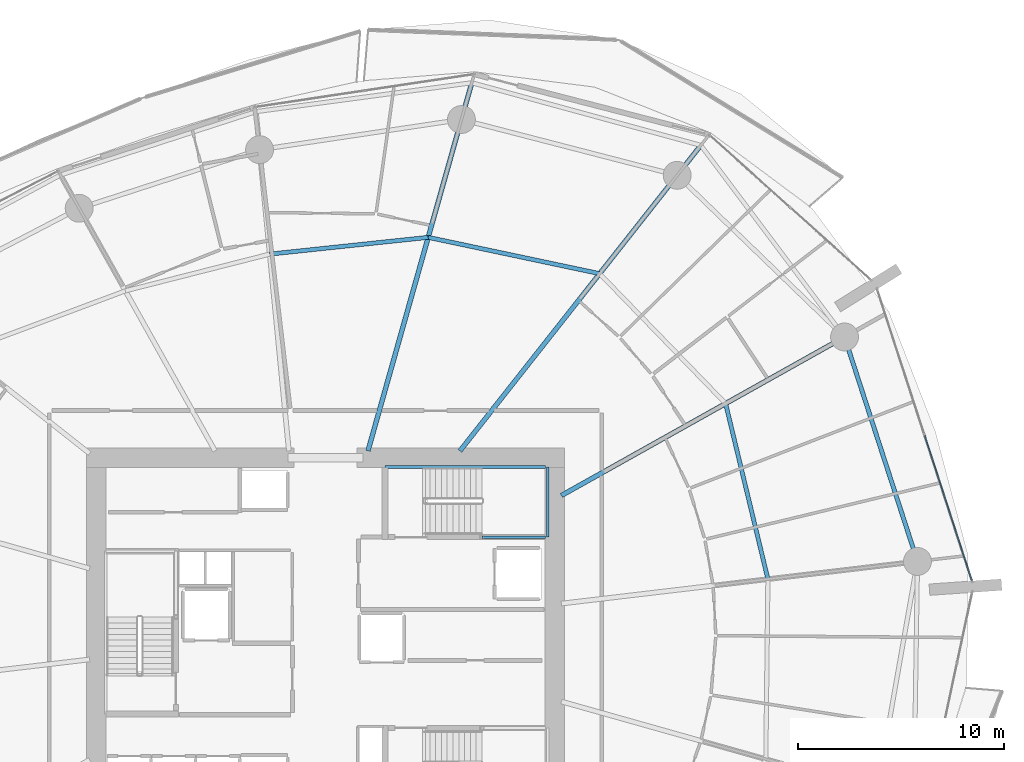
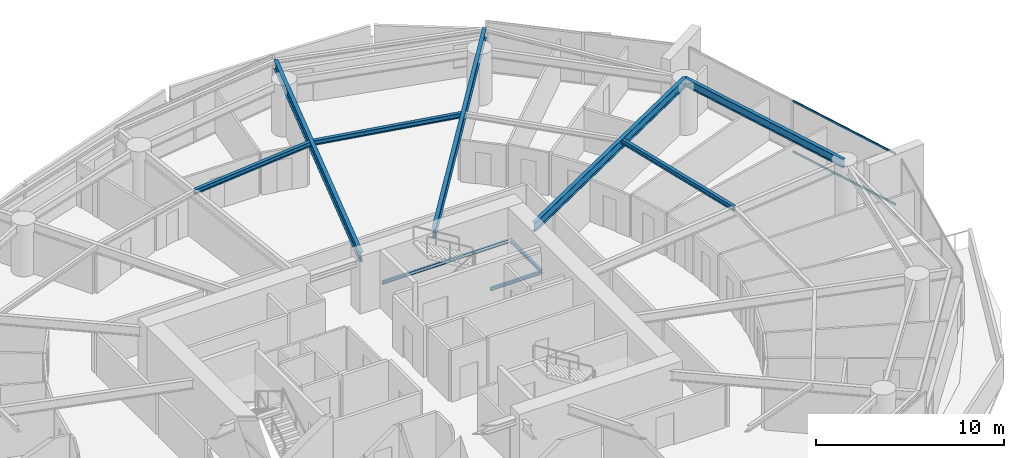
# One storey, part 14 of 31: 10 beams, 2 members, 1 element without a shape of its own.
"""IFC4 building model written with IfcOpenShell, lengths in metres."""

from ifc_helpers import new_model, si_unit, direction, frame, origin, origin_2d, place, context, subcontext, project, spatial, rectangle, i_section, extrude, material, layer, layer_set, material_profile, profile_set, type_object, element, aggregate, save


model = new_model("IFC4")

# Units and contexts
model_context = context("Model", 3, precision=1e-05, world=origin(), true_north=direction((0.0, 1.0)))
body_context = subcontext(model_context, "Body", "Model", "MODEL_VIEW")
ifc_project = project(units=[si_unit("LENGTHUNIT", "METRE"), si_unit("AREAUNIT", "SQUARE_METRE"), si_unit("VOLUMEUNIT", "CUBIC_METRE"), si_unit("PLANEANGLEUNIT", "RADIAN"), si_unit("MASSUNIT", "GRAM", prefix="KILO")], contexts=[model_context])

# Site, building, storey
site_placement = place(None, origin())
site = spatial("IfcSite", under=ifc_project, at=site_placement, CompositionType="ELEMENT")
building_placement = place(site_placement, origin())
building = spatial("IfcBuilding", under=site, at=building_placement, Name="Kazma Halo Residences", CompositionType="ELEMENT")
storey_placement = place(building_placement, frame((0.0, 0.0, 67.64990234375)))
storey = spatial("IfcBuildingStorey", under=building, at=storey_placement, Name="L16", CompositionType="ELEMENT", Elevation=67.64990234375)

# Beams
ifc_material_1 = material(Name="Steel S355", Category="steel")
ifc_material_profile_1 = material_profile(ifc_material_1, i_section(OverallWidth=0.22802734375, OverallDepth=0.60791015625, WebThickness=0.01123046875, FlangeThickness=0.017333984375, FilletRadius=0.01806640625, at=origin_2d()), Name="W610x113")
ifc_profile_set_1 = profile_set([ifc_material_profile_1], Name="Steel S355")
beam_type_1 = type_object("IfcBeamType", Name="BM-RAD-W610", PredefinedType="BEAM", material=ifc_profile_set_1)
beam_1_placement = place(storey_placement, frame((59.85009765625, 48.63623046875, 3.046142578125), z_axis=(0.872489859828, 0.48863221803, 0.0), x_axis=(-0.48863221803, 0.872489859828, 0.0)))
element("IfcBeam", 1, at=beam_1_placement, inside=storey, type_object=beam_type_1, Name="L16 radial floor beam 01", PredefinedType="BEAM", context=body_context, shape_type="SweptSolid", body=[
    extrude(i_section(OverallWidth=0.22802734375, OverallDepth=0.60791015625, WebThickness=0.01123046875, FlangeThickness=0.017333984375, FilletRadius=0.01806640625, at=origin_2d()), origin(), (0.0, 0.0, 1.0), 15.71923828125),
])
beam_2_placement = place(storey_placement, frame((54.9375, 50.800048828125, 3.046142578125), z_axis=(0.619092154321, 0.785318345932, 0.0), x_axis=(-0.785318345932, 0.619092154321, 0.0)))
element("IfcBeam", 2, at=beam_2_placement, inside=storey, type_object=beam_type_1, Name="L16 radial floor beam 02", PredefinedType="BEAM", context=body_context, shape_type="SweptSolid", body=[
    extrude(i_section(OverallWidth=0.22802734375, OverallDepth=0.60791015625, WebThickness=0.01123046875, FlangeThickness=0.017333984375, FilletRadius=0.01806640625, at=origin_2d()), origin(), (0.0, 0.0, 1.0), 18.84375),
])
beam_3_placement = place(storey_placement, frame((50.48193359375, 50.800048828125, 3.046142578125), z_axis=(0.271442010129, 0.962454796412, 0.0), x_axis=(-0.962454796412, 0.271442010129, 0.0)))
element("IfcBeam", 3, at=beam_3_placement, inside=storey, type_object=beam_type_1, Name="L16 radial floor beam 03", PredefinedType="BEAM", context=body_context, shape_type="SweptSolid", body=[
    extrude(i_section(OverallWidth=0.22802734375, OverallDepth=0.60791015625, WebThickness=0.01123046875, FlangeThickness=0.017333984375, FilletRadius=0.01806640625, at=origin_2d()), origin(), (0.0, 0.0, 1.0), 18.525390625),
])
ifc_material_profile_2 = material_profile(ifc_material_1, i_section(OverallWidth=0.202880859375, OverallDepth=0.302978515625, WebThickness=0.007568359375, FlangeThickness=0.01318359375, FilletRadius=0.013916015625, at=origin_2d()), Name="W310x60")
ifc_profile_set_2 = profile_set([ifc_material_profile_2], Name="Steel S355")
beam_type_2 = type_object("IfcBeamType", Name="BM-SEC-W310A", PredefinedType="JOIST", material=ifc_profile_set_2)
beam_4_placement = place(storey_placement, frame((61.703857421875, 59.383056640625, 3.198486328125), z_axis=(-0.97831665719, 0.207114746615, 0.0), x_axis=(-0.207114746615, -0.97831665719, 0.0)))
element("IfcBeam", 4, at=beam_4_placement, inside=storey, type_object=beam_type_2, Name="L16 circumferential floor joist 02", PredefinedType="JOIST", context=body_context, shape_type="SweptSolid", body=[
    extrude(i_section(OverallWidth=0.202880859375, OverallDepth=0.302978515625, WebThickness=0.007568359375, FlangeThickness=0.01318359375, FilletRadius=0.013916015625, at=origin_2d()), origin(), (0.0, 0.0, 1.0), 8.489501953125),
])
beam_5_placement = place(storey_placement, frame((53.3984375, 61.141357421875, 3.198486328125), z_axis=(-0.994456114777, -0.10515244069, 0.0), x_axis=(0.10515244069, -0.994456114777, 0.0)))
element("IfcBeam", 5, at=beam_5_placement, inside=storey, type_object=beam_type_2, Name="L16 circumferential floor joist 03", PredefinedType="JOIST", context=body_context, shape_type="SweptSolid", body=[
    extrude(i_section(OverallWidth=0.202880859375, OverallDepth=0.302978515625, WebThickness=0.007568359375, FlangeThickness=0.01318359375, FilletRadius=0.013916015625, at=origin_2d()), origin(), (0.0, 0.0, 1.0), 7.717529296875),
])
beam_6_placement = place(storey_placement, frame((69.853759765625, 44.586669921875, 3.198486328125), z_axis=(-0.234233116199, 0.972180460242, 0.0), x_axis=(-0.972180460242, -0.234233116199, 0.0)))
element("IfcBeam", 6, at=beam_6_placement, inside=storey, type_object=beam_type_2, Name="L16 circumferential floor joist 16", PredefinedType="JOIST", context=body_context, shape_type="SweptSolid", body=[
    extrude(i_section(OverallWidth=0.202880859375, OverallDepth=0.302978515625, WebThickness=0.007568359375, FlangeThickness=0.01318359375, FilletRadius=0.013916015625, at=origin_2d()), origin(), (0.0, 0.0, 1.0), 8.748046875),
])
ifc_material_profile_3 = material_profile(ifc_material_1, i_section(OverallWidth=0.208984375, OverallDepth=0.532958984375, WebThickness=0.01025390625, FlangeThickness=0.015625, FilletRadius=0.01611328125, at=origin_2d()), Name="W530x92")
ifc_profile_set_3 = profile_set([ifc_material_profile_3], Name="Steel S355")
beam_type_3 = type_object("IfcBeamType", Name="BM-SPN-W530", PredefinedType="BEAM", material=ifc_profile_set_3)
beam_7_placement = place(storey_placement, frame((77.097900390625, 45.444091796875, 3.08349609375), z_axis=(-0.309024264898, 0.951054153928, 0.0), x_axis=(-0.951054153928, -0.309024264898, 0.0)))
element("IfcBeam", 7, at=beam_7_placement, inside=storey, type_object=beam_type_3, Name="L16 perimeter ring beam 16", PredefinedType="BEAM", context=body_context, shape_type="SweptSolid", body=[
    extrude(i_section(OverallWidth=0.208984375, OverallDepth=0.532958984375, WebThickness=0.01025390625, FlangeThickness=0.015625, FilletRadius=0.01611328125, at=origin_2d()), origin(), (0.0, 0.0, 1.0), 11.4326171875),
])
ifc_material_profile_4 = material_profile(ifc_material_1, i_section(OverallWidth=0.133056640625, OverallDepth=0.20703125, WebThickness=0.005859375, FlangeThickness=0.00830078125, FilletRadius=0.010009765625, at=origin_2d()), Name="W200x26.6")
ifc_profile_set_4 = profile_set([ifc_material_profile_4], Name="Steel S355")
beam_type_4 = type_object("IfcBeamType", Name="BM-TRIM-W200", PredefinedType="BEAM", material=ifc_profile_set_4)
beam_8_placement = place(storey_placement, frame((51.31005859375, 50.02001953125, 1.570068359375), z_axis=(1.0, 0.0, 0.0), x_axis=(0.0, 1.0, 0.0)))
element("IfcBeam", 8, at=beam_8_placement, inside=storey, type_object=beam_type_4, Name="L16 ST-02 landing north wall ledger", PredefinedType="BEAM", context=body_context, shape_type="SweptSolid", body=[
    extrude(i_section(OverallWidth=0.133056640625, OverallDepth=0.20703125, WebThickness=0.005859375, FlangeThickness=0.00830078125, FilletRadius=0.010009765625, at=origin_2d()), origin(), (0.0, 0.0, 1.0), 7.760009765625),
])
beam_9_placement = place(storey_placement, frame((56.0, 46.6201171875, 1.570068359375), z_axis=(1.0, 0.0, 0.0), x_axis=(0.0, 1.0, 0.0)))
element("IfcBeam", 9, at=beam_9_placement, inside=storey, type_object=beam_type_4, Name="L16 ST-02 landing south wall ledger", PredefinedType="BEAM", context=body_context, shape_type="SweptSolid", body=[
    extrude(i_section(OverallWidth=0.133056640625, OverallDepth=0.20703125, WebThickness=0.005859375, FlangeThickness=0.00830078125, FilletRadius=0.010009765625, at=origin_2d()), origin(), (0.0, 0.0, 1.0), 3.070068359375),
])
beam_10_placement = place(storey_placement, frame((59.18994140625, 46.6201171875, 1.570068359375), z_axis=(0.0, 1.0, 0.0), x_axis=(-1.0, 0.0, 0.0)))
element("IfcBeam", 10, at=beam_10_placement, inside=storey, type_object=beam_type_4, Name="L16 ST-02 landing end wall ledger", PredefinedType="BEAM", context=body_context, shape_type="SweptSolid", body=[
    extrude(i_section(OverallWidth=0.133056640625, OverallDepth=0.20703125, WebThickness=0.005859375, FlangeThickness=0.00830078125, FilletRadius=0.010009765625, at=origin_2d()), origin(), (0.0, 0.0, 1.0), 3.39990234375),
])

# Curtain wall, members
ifc_material_2 = material(Name="Aluminium AW-6063 T6 and Triple-Silver Low-E Glass", Category="aluminium")
ifc_layer = layer(ifc_material_2, 0.159912109375)
ifc_layer_set = layer_set([ifc_layer], Name="Aluminium AW-6063 T6 and Triple-Silver Low-E Glass")
curtain_wall_type = type_object("IfcCurtainWallType", Name="CW-SYS-2", PredefinedType="NOTDEFINED", material=ifc_layer_set)
curtain_wall_placement = place(storey_placement, origin())
curtain_wall = element("IfcCurtainWall", 11, at=curtain_wall_placement, inside=storey, type_object=curtain_wall_type, Name="L16 unitised curtain wall B16", PredefinedType="NOTDEFINED")
ifc_material_3 = material(Name="Aluminium AW-6063 T6", Category="aluminium")
ifc_material_profile_5 = material_profile(ifc_material_3, rectangle(XDim=0.06005859375, YDim=0.1201171875, at=origin_2d()), Name="CWT-60x120")
ifc_profile_set_5 = profile_set([ifc_material_profile_5], Name="Aluminium AW-6063 T6")
member_type = type_object("IfcMemberType", Name="CW-SYS-2-TRN", PredefinedType="USERDEFINED", material=ifc_profile_set_5)
member_1_placement = place(storey_placement, frame((79.72900390625, 44.52783203125, 0.030029296875), z_axis=(-0.309034393795, 0.951050862705, 0.0), x_axis=(-0.951050862705, -0.309034393795, 0.0)))
member_1 = element("IfcMember", 12, at=member_1_placement, type_object=member_type, Name="CWS-2 transom 1.1", ObjectType="TRANSOM", PredefinedType="USERDEFINED", context=body_context, shape_type="SweptSolid", body=[
    extrude(rectangle(XDim=0.06005859375, YDim=0.1201171875, at=origin_2d()), origin(), (0.0, 0.0, 1.0), 7.370849609375),
])
member_2_placement = place(storey_placement, frame((79.72900390625, 44.52783203125, 3.320068359375), z_axis=(-0.309034393795, 0.951050862705, 0.0), x_axis=(-0.951050862705, -0.309034393795, 0.0)))
member_2 = element("IfcMember", 13, at=member_2_placement, type_object=member_type, Name="CWS-2 transom 1.2", ObjectType="TRANSOM", PredefinedType="USERDEFINED", context=body_context, shape_type="SweptSolid", body=[
    extrude(rectangle(XDim=0.06005859375, YDim=0.1201171875, at=origin_2d()), origin(), (0.0, 0.0, 1.0), 7.370849609375),
])
aggregate(curtain_wall, [member_1, member_2])

save(model, "model.ifc")
